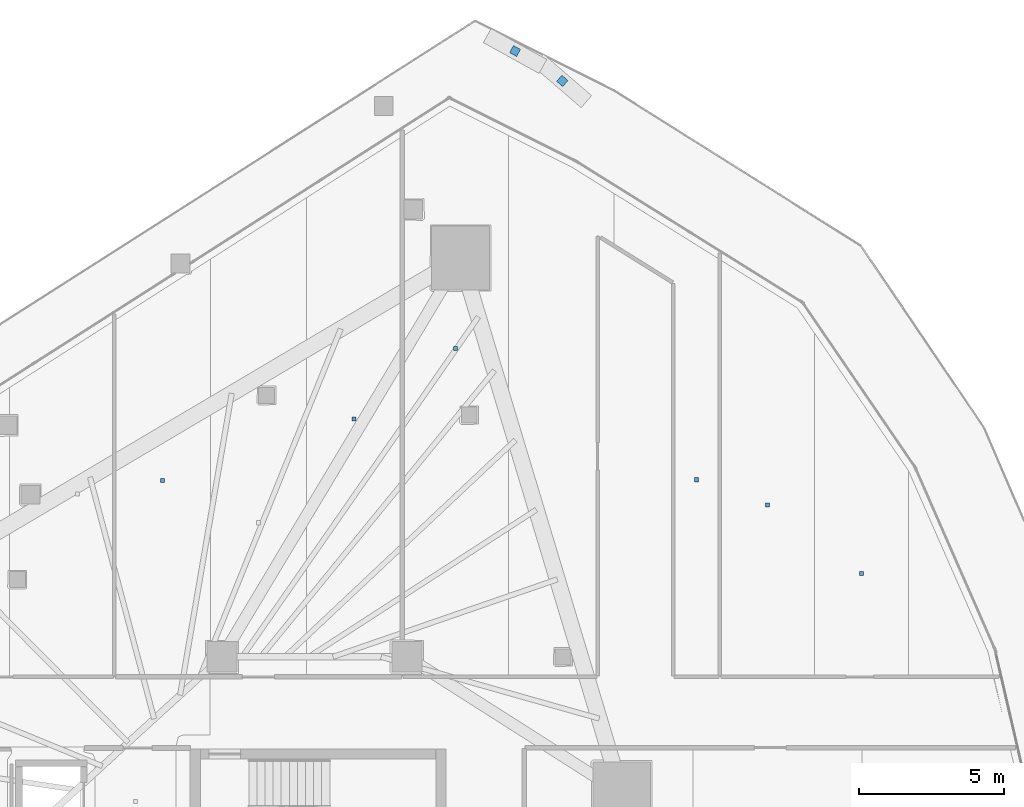
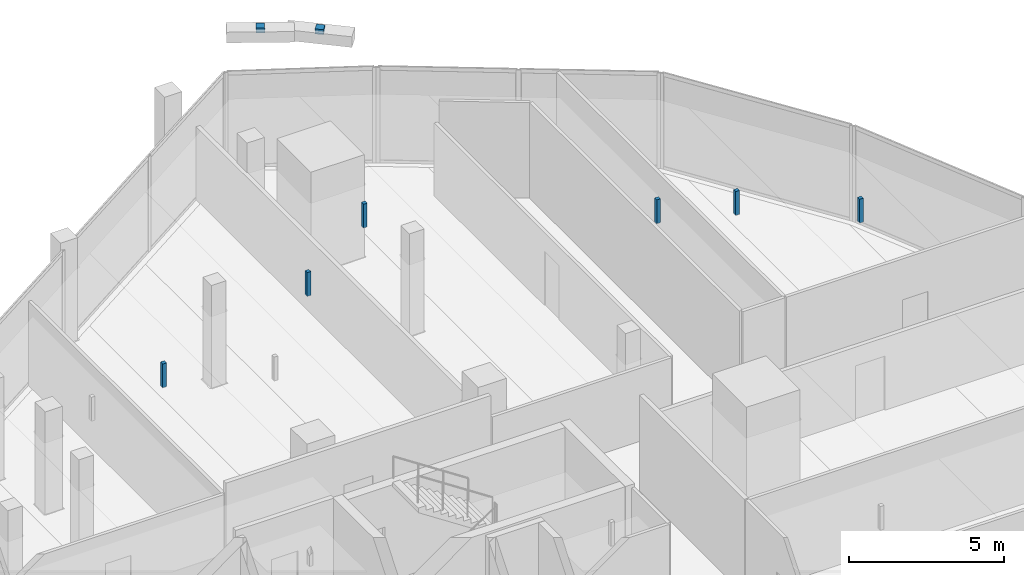
# One storey, part 33 of 42: 8 discrete accessories.
"""IFC4 building model written with IfcOpenShell, lengths in metres."""

from ifc_helpers import new_model, si_unit, direction, frame, origin, origin_2d, place, context, subcontext, project, spatial, rectangle, extrude, material, type_object, element, save


model = new_model("IFC4")

# Units and contexts
model_context = context("Model", 3, precision=1e-05, world=origin(), true_north=direction((0.0, 1.0)))
body_context = subcontext(model_context, "Body", "Model", "MODEL_VIEW")
ifc_project = project(units=[si_unit("LENGTHUNIT", "METRE"), si_unit("AREAUNIT", "SQUARE_METRE"), si_unit("VOLUMEUNIT", "CUBIC_METRE"), si_unit("PLANEANGLEUNIT", "RADIAN"), si_unit("MASSUNIT", "GRAM", prefix="KILO")], contexts=[model_context])

# Site, building, storey
site_placement = place(None, origin())
site = spatial("IfcSite", under=ifc_project, at=site_placement, CompositionType="ELEMENT")
building_placement = place(site_placement, origin())
building = spatial("IfcBuilding", under=site, at=building_placement, Name="Qorvath Tower", CompositionType="ELEMENT")
storey_placement = place(building_placement, frame((0.0, 0.0, 121.949951171875)))
storey = spatial("IfcBuildingStorey", under=building, at=storey_placement, Name="L27", CompositionType="ELEMENT", Elevation=121.949951171875)

# Discrete accessories
ifc_material = material(Name="Galvanised steel bracket", Category="steel")
discrete_accessory_type = type_object("IfcDiscreteAccessoryType", Name="DA-BRACKET", PredefinedType="BRACKET", material=ifc_material)
for number, where, z_axis, x_axis, name in (
    (1, (-11.827392578125, 31.37255859375, 3.6298828125), (0.0, 0.0, 1.0), (-0.757553591462, 0.652772974367, 0.0), "Louvre Wave Support Bracket L27-05"),
    (2, (-13.46142578125, 32.406005859375, 3.6298828125), (0.0, 0.0, 1.0), (-0.874929220455, 0.484250822605, 0.0), "Louvre Wave Support Bracket L27-06"),
):
    element("IfcDiscreteAccessory", number, at=place(storey_placement, frame(where, z_axis=z_axis, x_axis=x_axis)), inside=storey, type_object=discrete_accessory_type, Name=name, PredefinedType="NOTDEFINED", context=body_context, shape_type="SweptSolid", body=[
        extrude(rectangle(XDim=0.280029296875, YDim=0.280029296875, at=origin_2d()), origin(), (0.0, 0.0, 1.0), 0.199951171875),
    ])
for number, where, z_axis, x_axis, name in (
    (3, (-25.6533203125, 17.5537109375, 2.860107421875), (0.0, 0.0, 1.0), (1.0, 0.0, 0.0), "Acoustic Ceiling Suspension Hanger T1-L27-015"),
    (4, (-19.02734375, 19.679931640625, 2.860107421875), (0.0, 0.0, 1.0), (1.0, 0.0, 0.0), "Acoustic Ceiling Suspension Hanger T1-L27-017"),
    (5, (-15.5244140625, 22.11083984375, 2.860107421875), (0.0, 0.0, 1.0), (1.0, 0.0, 0.0), "Acoustic Ceiling Suspension Hanger T1-L27-018"),
    (6, (-7.184814453125, 17.575927734375, 2.860107421875), (0.0, 0.0, 1.0), (1.0, 0.0, 0.0), "Acoustic Ceiling Suspension Hanger T1-L27-020"),
    (7, (-4.737060546875, 16.709228515625, 2.860107421875), (0.0, 0.0, 1.0), (1.0, 0.0, 0.0), "Acoustic Ceiling Suspension Hanger T1-L27-021"),
    (8, (-1.4814453125, 14.3271484375, 2.860107421875), (0.0, 0.0, 1.0), (1.0, 0.0, 0.0), "Acoustic Ceiling Suspension Hanger T1-L27-022"),
):
    element("IfcDiscreteAccessory", number, at=place(storey_placement, frame(where, z_axis=z_axis, x_axis=x_axis)), inside=storey, type_object=discrete_accessory_type, Name=name, PredefinedType="NOTDEFINED", context=body_context, shape_type="SweptSolid", body=[
        extrude(rectangle(XDim=0.139892578125, YDim=0.139892578125, at=origin_2d()), origin(), (0.0, 0.0, 1.0), 0.93994140625),
    ])

save(model, "model.ifc")
